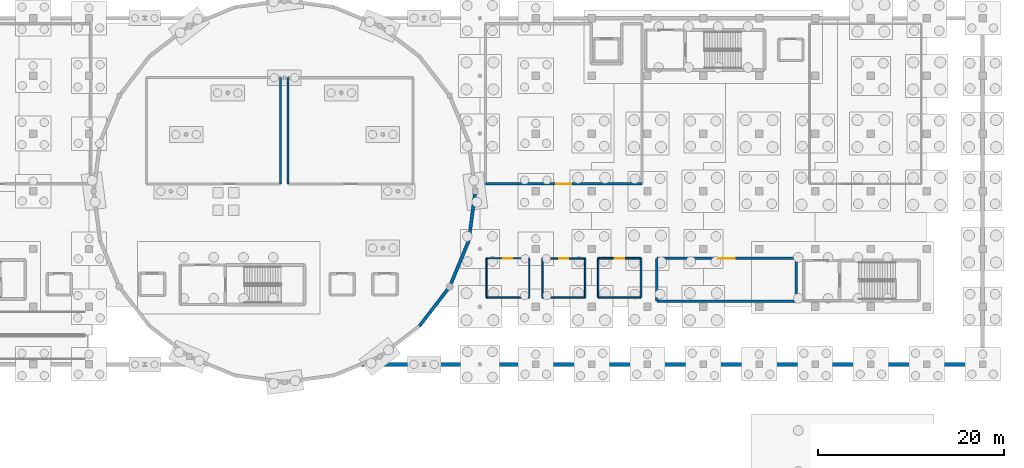
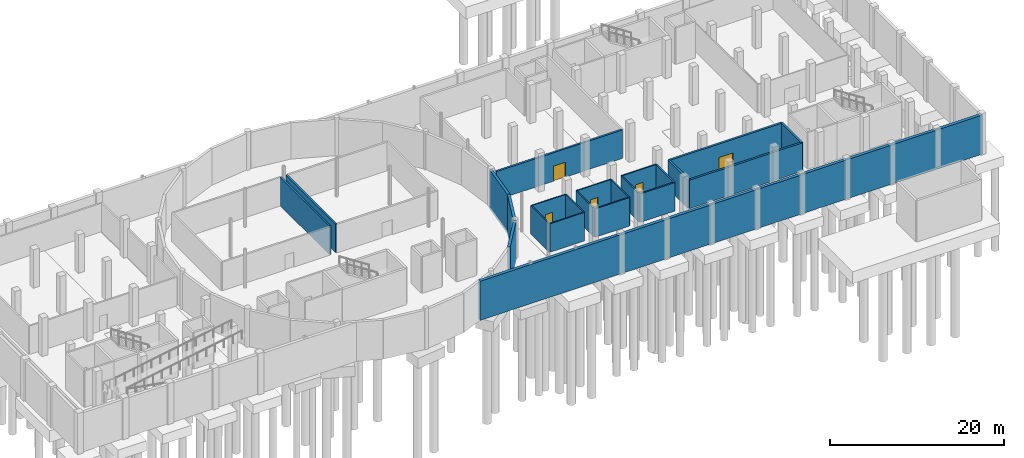
# One storey, part 12 of 19: 23 walls, 5 doors, 5 openings.
"""IFC4 building model written with IfcOpenShell, lengths in metres."""

from ifc_helpers import new_model, si_unit, direction, frame, frame_2d, origin, place, context, subcontext, project, spatial, rectangle, extrude, material, layer, layer_set, type_object, element, fill, save


model = new_model("IFC4")

# Units and contexts
model_context = context("Model", 3, precision=1e-05, world=origin(), true_north=direction((0.0, 1.0)))
body_context = subcontext(model_context, "Body", "Model", "MODEL_VIEW")
ifc_project = project(units=[si_unit("LENGTHUNIT", "METRE"), si_unit("AREAUNIT", "SQUARE_METRE"), si_unit("VOLUMEUNIT", "CUBIC_METRE"), si_unit("PLANEANGLEUNIT", "RADIAN"), si_unit("MASSUNIT", "GRAM", prefix="KILO")], contexts=[model_context])

# Site, building, storey
site_placement = place(None, origin())
site = spatial("IfcSite", under=ifc_project, at=site_placement, CompositionType="ELEMENT")
building_placement = place(site_placement, origin())
building = spatial("IfcBuilding", under=site, at=building_placement, Name="Mirzam Square Science Centre", CompositionType="ELEMENT")
storey_placement = place(building_placement, frame((0.0, 0.0, -5.39990234375)))
storey = spatial("IfcBuildingStorey", under=building, at=storey_placement, Name="B01", CompositionType="ELEMENT", Elevation=-5.39990234375)

# Walls
ifc_material_1 = material(Name="Concrete C45/55", Category="concrete")
ifc_layer_1 = layer(ifc_material_1, 0.35009765625)
ifc_layer_set_1 = layer_set([ifc_layer_1], Name="W-DRUM-350")
wall_type_1 = type_object("IfcWallType", Name="W-DRUM-350", PredefinedType="SHEAR", material=ifc_layer_set_1)
for number, where, z_axis, x_axis, name in (
    (1, (95.49560546875, 47.50439453125, -0.400146484375), (0.0, 0.0, 1.0), (0.60876670321, 0.793349293227, 0.0), "B01 planetarium drum wall 22"),
    (2, (98.75341796875, 51.75, -0.400146484375), (0.0, 0.0, 1.0), (0.382713071139, 0.923867255172, 0.0), "B01 planetarium drum wall 23"),
):
    element("IfcWall", number, at=place(storey_placement, frame(where, z_axis=z_axis, x_axis=x_axis)), inside=storey, type_object=wall_type_1, Name=name, PredefinedType="SHEAR", context=body_context, shape_type="SweptSolid", body=[
        extrude(rectangle(XDim=5.3515625, YDim=0.35009765625, at=frame_2d((2.67578125, 0.0))), origin(), (0.0, 0.0, 1.0), 5.5),
    ])
wall_1_placement = place(storey_placement, frame((100.801513671875, 56.694091796875, -0.400146484375), z_axis=(0.0, 0.0, 1.0), x_axis=(0.130517056518, 0.991446064069, 0.0)))
element("IfcWall", 3, at=wall_1_placement, inside=storey, type_object=wall_type_1, Name="B01 planetarium drum wall 24", PredefinedType="SHEAR", context=body_context, shape_type="SweptSolid", body=[
    extrude(rectangle(XDim=5.351806640625, YDim=0.35009765625, at=frame_2d((2.67578125, 0.0))), origin(), (0.0, 0.0, 1.0), 5.5),
])

# Wall, opening, door
ifc_material_2 = material(Name="Laboratory Acoustic Partition", Category="gypsum")
ifc_layer_2 = layer(ifc_material_2, 0.14990234375)
ifc_layer_set_2 = layer_set([ifc_layer_2], Name="W-PART-150")
wall_type_2 = type_object("IfcWallType", Name="W-PART-150", PredefinedType="PARTITIONING", material=ifc_layer_set_2)
wall_2_placement = place(storey_placement, frame((102.699951171875, 54.800048828125, 0.0), z_axis=(0.0, 0.0, 1.0), x_axis=(1.0, 0.0, 0.0)))
wall_2 = element("IfcWall", 4, at=wall_2_placement, inside=storey, type_object=wall_type_2, Name="B01 Male WC B01 partition 1", PredefinedType="PARTITIONING", context=body_context, shape_type="SweptSolid", body=[
    extrude(rectangle(XDim=4.60009765625, YDim=0.14990234375, at=frame_2d((2.300048828125, 0.0))), origin(), (0.0, 0.0, 1.0), 4.0),
])
opening_1_placement = place(wall_2_placement, frame((1.824951171875, 0.0, 0.0)))
opening_1 = element("IfcOpeningElement", 5, at=opening_1_placement, cuts=wall_2, Name="Opening D-02", PredefinedType="OPENING", context=body_context, shape_type="SweptSolid", body=[
    extrude(rectangle(XDim=0.949951171875, YDim=2.10009765625, at=frame_2d((0.47509765625, 1.050048828125))), frame((0.0, 0.0849609375, 0.0), z_axis=(0.0, -1.0, 0.0), x_axis=(1.0, 0.0, 0.0)), (0.0, 0.0, 1.0), 0.169921875),
])
ifc_material_3 = material(Name="Solid Core Acoustic Oak Timber Door", Category="wood")
door_type_1 = type_object("IfcDoorType", Name="DR-INT-950x2100", OperationType="NOTDEFINED", PredefinedType="DOOR", material=ifc_material_3)
door_1_placement = place(opening_1_placement, origin())
door_1 = element("IfcDoor", 6, at=door_1_placement, inside=storey, type_object=door_type_1, Name="ID-B01-0001", OperationType="SINGLE_SWING_RIGHT", OverallHeight=2.10009765625, OverallWidth=0.949951171875, PredefinedType="DOOR", context=body_context, shape_type="SweptSolid", body=[
    extrude(rectangle(XDim=0.949951171875, YDim=2.10009765625, at=frame_2d((0.47509765625, 1.050048828125))), frame((0.0, 0.02490234375, 0.0), z_axis=(0.0, -1.0, 0.0), x_axis=(1.0, 0.0, 0.0)), (0.0, 0.0, 1.0), 0.050048828125),
])
fill(opening_1, door_1)

# Walls
wall_3_placement = place(storey_placement, frame((107.300048828125, 54.800048828125, 0.0), z_axis=(0.0, 0.0, 1.0), x_axis=(0.0, -1.0, 0.0)))
element("IfcWall", 7, at=wall_3_placement, inside=storey, type_object=wall_type_2, Name="B01 Male WC B01 partition 2", PredefinedType="PARTITIONING", context=body_context, shape_type="SweptSolid", body=[
    extrude(rectangle(XDim=4.199951171875, YDim=0.14990234375, at=frame_2d((2.10009765625, 0.0))), origin(), (0.0, 0.0, 1.0), 4.0),
])
wall_4_placement = place(storey_placement, frame((107.300048828125, 50.60009765625, 0.0), z_axis=(0.0, 0.0, 1.0), x_axis=(-1.0, 0.0, 0.0)))
element("IfcWall", 8, at=wall_4_placement, inside=storey, type_object=wall_type_2, Name="B01 Male WC B01 partition 3", PredefinedType="PARTITIONING", context=body_context, shape_type="SweptSolid", body=[
    extrude(rectangle(XDim=4.60009765625, YDim=0.14990234375, at=frame_2d((2.300048828125, 0.0))), origin(), (0.0, 0.0, 1.0), 4.0),
])
wall_5_placement = place(storey_placement, frame((102.699951171875, 50.60009765625, 0.0), z_axis=(0.0, 0.0, 1.0), x_axis=(0.0, 1.0, 0.0)))
element("IfcWall", 9, at=wall_5_placement, inside=storey, type_object=wall_type_2, Name="B01 Male WC B01 partition 4", PredefinedType="PARTITIONING", context=body_context, shape_type="SweptSolid", body=[
    extrude(rectangle(XDim=4.199951171875, YDim=0.14990234375, at=frame_2d((2.10009765625, 0.0))), origin(), (0.0, 0.0, 1.0), 4.0),
])

# Wall, opening, door
ifc_material_4 = material(Name="Wet-Area Moisture-Resistant Partition", Category="gypsum")
ifc_layer_3 = layer(ifc_material_4, 0.1650390625)
ifc_layer_set_3 = layer_set([ifc_layer_3], Name="W-PART-165")
wall_type_3 = type_object("IfcWallType", Name="W-PART-165", PredefinedType="PARTITIONING", material=ifc_layer_set_3)
wall_6_placement = place(storey_placement, frame((108.699951171875, 54.800048828125, 0.0), z_axis=(0.0, 0.0, 1.0), x_axis=(1.0, 0.0, 0.0)))
wall_6 = element("IfcWall", 10, at=wall_6_placement, inside=storey, type_object=wall_type_3, Name="B01 Female WC B01 partition 5", PredefinedType="PARTITIONING", context=body_context, shape_type="SweptSolid", body=[
    extrude(rectangle(XDim=4.60009765625, YDim=0.1650390625, at=frame_2d((2.300048828125, 0.0))), origin(), (0.0, 0.0, 1.0), 4.0),
])
opening_2_placement = place(wall_6_placement, frame((1.800048828125, 0.0, 0.0)))
opening_2 = element("IfcOpeningElement", 11, at=opening_2_placement, cuts=wall_6, Name="Opening D-03", PredefinedType="OPENING", context=body_context, shape_type="SweptSolid", body=[
    extrude(rectangle(XDim=1.0, YDim=2.10009765625, at=frame_2d((0.5, 1.050048828125))), frame((0.0, 0.092529296875, 0.0), z_axis=(0.0, -1.0, 0.0), x_axis=(1.0, 0.0, 0.0)), (0.0, 0.0, 1.0), 0.18505859375),
])
door_type_2 = type_object("IfcDoorType", Name="DR-INT-1000x2100", OperationType="NOTDEFINED", PredefinedType="DOOR", material=ifc_material_3)
door_2_placement = place(opening_2_placement, origin())
door_2 = element("IfcDoor", 12, at=door_2_placement, inside=storey, type_object=door_type_2, Name="ID-B01-0002", OperationType="SINGLE_SWING_LEFT", OverallHeight=2.10009765625, OverallWidth=1.0, PredefinedType="DOOR", context=body_context, shape_type="SweptSolid", body=[
    extrude(rectangle(XDim=1.0, YDim=2.10009765625, at=frame_2d((0.5, 1.050048828125))), frame((0.0, 0.02490234375, 0.0), z_axis=(0.0, -1.0, 0.0), x_axis=(1.0, 0.0, 0.0)), (0.0, 0.0, 1.0), 0.050048828125),
])
fill(opening_2, door_2)

# Walls
wall_7_placement = place(storey_placement, frame((113.300048828125, 54.800048828125, 0.0), z_axis=(0.0, 0.0, 1.0), x_axis=(0.0, -1.0, 0.0)))
element("IfcWall", 13, at=wall_7_placement, inside=storey, type_object=wall_type_3, Name="B01 Female WC B01 partition 6", PredefinedType="PARTITIONING", context=body_context, shape_type="SweptSolid", body=[
    extrude(rectangle(XDim=4.199951171875, YDim=0.1650390625, at=frame_2d((2.10009765625, 0.0))), origin(), (0.0, 0.0, 1.0), 4.0),
])
wall_8_placement = place(storey_placement, frame((113.300048828125, 50.60009765625, 0.0), z_axis=(0.0, 0.0, 1.0), x_axis=(-1.0, 0.0, 0.0)))
element("IfcWall", 14, at=wall_8_placement, inside=storey, type_object=wall_type_3, Name="B01 Female WC B01 partition 7", PredefinedType="PARTITIONING", context=body_context, shape_type="SweptSolid", body=[
    extrude(rectangle(XDim=4.60009765625, YDim=0.1650390625, at=frame_2d((2.300048828125, 0.0))), origin(), (0.0, 0.0, 1.0), 4.0),
])
wall_9_placement = place(storey_placement, frame((108.699951171875, 50.60009765625, 0.0), z_axis=(0.0, 0.0, 1.0), x_axis=(0.0, 1.0, 0.0)))
element("IfcWall", 15, at=wall_9_placement, inside=storey, type_object=wall_type_3, Name="B01 Female WC B01 partition 8", PredefinedType="PARTITIONING", context=body_context, shape_type="SweptSolid", body=[
    extrude(rectangle(XDim=4.199951171875, YDim=0.1650390625, at=frame_2d((2.10009765625, 0.0))), origin(), (0.0, 0.0, 1.0), 4.0),
])

# Wall, opening, door
ifc_material_5 = material(Name="Workshop Acoustic Masonry Partition", Category="masonry")
ifc_layer_4 = layer(ifc_material_5, 0.179931640625)
ifc_layer_set_4 = layer_set([ifc_layer_4], Name="W-PART-180")
wall_type_4 = type_object("IfcWallType", Name="W-PART-180", PredefinedType="PARTITIONING", material=ifc_layer_set_4)
wall_10_placement = place(storey_placement, frame((114.699951171875, 54.800048828125, 0.0), z_axis=(0.0, 0.0, 1.0), x_axis=(1.0, 0.0, 0.0)))
wall_10 = element("IfcWall", 16, at=wall_10_placement, inside=storey, type_object=wall_type_4, Name="B01 Accessible WC B01 partition 9", PredefinedType="PARTITIONING", context=body_context, shape_type="SweptSolid", body=[
    extrude(rectangle(XDim=4.60009765625, YDim=0.179931640625, at=frame_2d((2.300048828125, 0.0))), origin(), (0.0, 0.0, 1.0), 4.0),
])
opening_3_placement = place(wall_10_placement, frame((1.77490234375, 0.0, 0.0)))
opening_3 = element("IfcOpeningElement", 17, at=opening_3_placement, cuts=wall_10, Name="Opening D-04", PredefinedType="OPENING", context=body_context, shape_type="SweptSolid", body=[
    extrude(rectangle(XDim=1.050048828125, YDim=2.10009765625, at=frame_2d((0.52490234375, 1.050048828125))), frame((0.0, 0.099853515625, 0.0), z_axis=(0.0, -1.0, 0.0), x_axis=(1.0, 0.0, 0.0)), (0.0, 0.0, 1.0), 0.199951171875),
])
door_type_3 = type_object("IfcDoorType", Name="DR-INT-1050x2100", OperationType="NOTDEFINED", PredefinedType="DOOR", material=ifc_material_3)
door_3_placement = place(opening_3_placement, origin())
door_3 = element("IfcDoor", 18, at=door_3_placement, inside=storey, type_object=door_type_3, Name="ID-B01-0003", OperationType="SINGLE_SWING_RIGHT", OverallHeight=2.10009765625, OverallWidth=1.050048828125, PredefinedType="DOOR", context=body_context, shape_type="SweptSolid", body=[
    extrude(rectangle(XDim=1.050048828125, YDim=2.10009765625, at=frame_2d((0.52490234375, 1.050048828125))), frame((0.0, 0.02490234375, 0.0), z_axis=(0.0, -1.0, 0.0), x_axis=(1.0, 0.0, 0.0)), (0.0, 0.0, 1.0), 0.050048828125),
])
fill(opening_3, door_3)

# Walls
wall_11_placement = place(storey_placement, frame((119.300048828125, 54.800048828125, 0.0), z_axis=(0.0, 0.0, 1.0), x_axis=(0.0, -1.0, 0.0)))
element("IfcWall", 19, at=wall_11_placement, inside=storey, type_object=wall_type_4, Name="B01 Accessible WC B01 partition 10", PredefinedType="PARTITIONING", context=body_context, shape_type="SweptSolid", body=[
    extrude(rectangle(XDim=4.199951171875, YDim=0.179931640625, at=frame_2d((2.10009765625, 0.0))), origin(), (0.0, 0.0, 1.0), 4.0),
])
wall_12_placement = place(storey_placement, frame((119.300048828125, 50.60009765625, 0.0), z_axis=(0.0, 0.0, 1.0), x_axis=(-1.0, 0.0, 0.0)))
element("IfcWall", 20, at=wall_12_placement, inside=storey, type_object=wall_type_4, Name="B01 Accessible WC B01 partition 11", PredefinedType="PARTITIONING", context=body_context, shape_type="SweptSolid", body=[
    extrude(rectangle(XDim=4.60009765625, YDim=0.179931640625, at=frame_2d((2.300048828125, 0.0))), origin(), (0.0, 0.0, 1.0), 4.0),
])
wall_13_placement = place(storey_placement, frame((114.699951171875, 50.60009765625, 0.0), z_axis=(0.0, 0.0, 1.0), x_axis=(0.0, 1.0, 0.0)))
element("IfcWall", 21, at=wall_13_placement, inside=storey, type_object=wall_type_4, Name="B01 Accessible WC B01 partition 12", PredefinedType="PARTITIONING", context=body_context, shape_type="SweptSolid", body=[
    extrude(rectangle(XDim=4.199951171875, YDim=0.179931640625, at=frame_2d((2.10009765625, 0.0))), origin(), (0.0, 0.0, 1.0), 4.0),
])
ifc_material_6 = material(Name="Chemical Prep Fire Partition Concrete C30/37", Category="concrete")
ifc_layer_5 = layer(ifc_material_6, 0.215087890625)
ifc_layer_set_5 = layer_set([ifc_layer_5], Name="W-PART-215")
wall_type_5 = type_object("IfcWallType", Name="W-PART-215", PredefinedType="PARTITIONING", material=ifc_layer_set_5)
wall_14_placement = place(storey_placement, frame((80.60009765625, 74.199951171875, 0.0), z_axis=(0.0, 0.0, 1.0), x_axis=(0.0, -1.0, 0.0)))
element("IfcWall", 22, at=wall_14_placement, inside=storey, type_object=wall_type_5, Name="B01 Exhibit Fabrication Workshop partition 18", PredefinedType="PARTITIONING", context=body_context, shape_type="SweptSolid", body=[
    extrude(rectangle(XDim=11.39990234375, YDim=0.215087890625, at=frame_2d((5.699951171875, 0.0))), origin(), (0.0, 0.0, 1.0), 4.0),
])
ifc_material_7 = material(Name="Gallery Display Backing Wall Concrete C30/37", Category="concrete")
ifc_layer_6 = layer(ifc_material_7, 0.22998046875)
ifc_layer_set_6 = layer_set([ifc_layer_6], Name="W-PART-230")
wall_type_6 = type_object("IfcWallType", Name="W-PART-230", PredefinedType="PARTITIONING", material=ifc_layer_set_6)
wall_15_placement = place(storey_placement, frame((81.39990234375, 62.800048828125, 0.0), z_axis=(0.0, 0.0, 1.0), x_axis=(0.0, 1.0, 0.0)))
element("IfcWall", 23, at=wall_15_placement, inside=storey, type_object=wall_type_6, Name="B01 Conservation and Quarantine Laboratory partition 24", PredefinedType="PARTITIONING", context=body_context, shape_type="SweptSolid", body=[
    extrude(rectangle(XDim=11.39990234375, YDim=0.22998046875, at=frame_2d((5.699951171875, 0.0))), origin(), (0.0, 0.0, 1.0), 4.0),
])

# Wall, opening, door
ifc_material_8 = material(Name="Plant Acoustic Barrier Wall Concrete C35/45", Category="concrete")
ifc_layer_7 = layer(ifc_material_8, 0.2451171875)
ifc_layer_set_7 = layer_set([ifc_layer_7], Name="W-PART-245")
wall_type_7 = type_object("IfcWallType", Name="W-PART-245", PredefinedType="PARTITIONING", material=ifc_layer_set_7)
wall_16_placement = place(storey_placement, frame((119.39990234375, 62.800048828125, 0.0), z_axis=(0.0, 0.0, 1.0), x_axis=(-1.0, 0.0, 0.0)))
wall_16 = element("IfcWall", 24, at=wall_16_placement, inside=storey, type_object=wall_type_7, Name="B01 Collection Archive and Crate Store partition 26", PredefinedType="PARTITIONING", context=body_context, shape_type="SweptSolid", body=[
    extrude(rectangle(XDim=16.7998046875, YDim=0.2451171875, at=frame_2d((8.39990234375, 0.0))), origin(), (0.0, 0.0, 1.0), 4.0),
])
opening_4_placement = place(wall_16_placement, frame((7.60009765625, 0.0, 0.0)))
opening_4 = element("IfcOpeningElement", 25, at=opening_4_placement, cuts=wall_16, Name="Opening D-08", PredefinedType="OPENING", context=body_context, shape_type="SweptSolid", body=[
    extrude(rectangle(XDim=1.60009765625, YDim=2.10009765625, at=frame_2d((0.800048828125, 1.050048828125))), frame((0.0, 0.132568359375, 0.0), z_axis=(0.0, -1.0, 0.0), x_axis=(1.0, 0.0, 0.0)), (0.0, 0.0, 1.0), 0.26513671875),
])
door_type_4 = type_object("IfcDoorType", Name="DR-INT-1600x2100", OperationType="DOUBLE_DOOR_SINGLE_SWING", PredefinedType="DOOR", material=ifc_material_3)
door_4_placement = place(opening_4_placement, origin())
door_4 = element("IfcDoor", 26, at=door_4_placement, inside=storey, type_object=door_type_4, Name="ID-B01-0007", OperationType="DOUBLE_DOOR_SINGLE_SWING", OverallHeight=2.10009765625, OverallWidth=1.60009765625, PredefinedType="DOOR", context=body_context, shape_type="SweptSolid", body=[
    extrude(rectangle(XDim=1.60009765625, YDim=2.10009765625, at=frame_2d((0.800048828125, 1.050048828125))), frame((0.0, 0.02490234375, 0.0), z_axis=(0.0, -1.0, 0.0), x_axis=(1.0, 0.0, 0.0)), (0.0, 0.0, 1.0), 0.050048828125),
])
fill(opening_4, door_4)

ifc_material_9 = material(Name="Theatre Acoustic Isolation Wall Concrete C35/45", Category="concrete")
ifc_layer_8 = layer(ifc_material_9, 0.260009765625)
ifc_layer_set_8 = layer_set([ifc_layer_8], Name="W-PART-260")
wall_type_8 = type_object("IfcWallType", Name="W-PART-260", PredefinedType="PARTITIONING", material=ifc_layer_set_8)
wall_17_placement = place(storey_placement, frame((121.0, 54.800048828125, 0.0), z_axis=(0.0, 0.0, 1.0), x_axis=(1.0, 0.0, 0.0)))
wall_17 = element("IfcWall", 27, at=wall_17_placement, inside=storey, type_object=wall_type_8, Name="B01 District Cooling Energy Transfer Plant partition 33", PredefinedType="PARTITIONING", context=body_context, shape_type="SweptSolid", body=[
    extrude(rectangle(XDim=15.0, YDim=0.260009765625, at=frame_2d((7.5, 0.0))), origin(), (0.0, 0.0, 1.0), 4.0),
])
opening_5_placement = place(wall_17_placement, frame((6.60009765625, 0.0, 0.0)))
opening_5 = element("IfcOpeningElement", 28, at=opening_5_placement, cuts=wall_17, Name="Opening D-09", PredefinedType="OPENING", context=body_context, shape_type="SweptSolid", body=[
    extrude(rectangle(XDim=1.800048828125, YDim=2.10009765625, at=frame_2d((0.89990234375, 1.050048828125))), frame((0.0, 0.139892578125, 0.0), z_axis=(0.0, -1.0, 0.0), x_axis=(1.0, 0.0, 0.0)), (0.0, 0.0, 1.0), 0.280029296875),
])
ifc_material_10 = material(Name="Powder-Coated Architectural Steel Acoustic Door", Category="steel")
door_type_5 = type_object("IfcDoorType", Name="DR-INT-1800x2100", OperationType="DOUBLE_DOOR_SINGLE_SWING", PredefinedType="DOOR", material=ifc_material_10)
door_5_placement = place(opening_5_placement, origin())
door_5 = element("IfcDoor", 29, at=door_5_placement, inside=storey, type_object=door_type_5, Name="ID-B01-0008", OperationType="DOUBLE_DOOR_SINGLE_SWING", OverallHeight=2.10009765625, OverallWidth=1.800048828125, PredefinedType="DOOR", context=body_context, shape_type="SweptSolid", body=[
    extrude(rectangle(XDim=1.800048828125, YDim=2.10009765625, at=frame_2d((0.89990234375, 1.050048828125))), frame((0.0, 0.02490234375, 0.0), z_axis=(0.0, -1.0, 0.0), x_axis=(1.0, 0.0, 0.0)), (0.0, 0.0, 1.0), 0.050048828125),
])
fill(opening_5, door_5)

# Walls
wall_18_placement = place(storey_placement, frame((136.0, 54.800048828125, 0.0), z_axis=(0.0, 0.0, 1.0), x_axis=(0.0, -1.0, 0.0)))
element("IfcWall", 30, at=wall_18_placement, inside=storey, type_object=wall_type_8, Name="B01 District Cooling Energy Transfer Plant partition 34", PredefinedType="PARTITIONING", context=body_context, shape_type="SweptSolid", body=[
    extrude(rectangle(XDim=4.60009765625, YDim=0.260009765625, at=frame_2d((2.300048828125, 0.0))), origin(), (0.0, 0.0, 1.0), 4.0),
])
wall_19_placement = place(storey_placement, frame((136.0, 50.199951171875, 0.0), z_axis=(0.0, 0.0, 1.0), x_axis=(-1.0, 0.0, 0.0)))
element("IfcWall", 31, at=wall_19_placement, inside=storey, type_object=wall_type_8, Name="B01 District Cooling Energy Transfer Plant partition 35", PredefinedType="PARTITIONING", context=body_context, shape_type="SweptSolid", body=[
    extrude(rectangle(XDim=15.0, YDim=0.260009765625, at=frame_2d((7.5, 0.0))), origin(), (0.0, 0.0, 1.0), 4.0),
])
wall_20_placement = place(storey_placement, frame((121.0, 50.199951171875, 0.0), z_axis=(0.0, 0.0, 1.0), x_axis=(0.0, 1.0, 0.0)))
element("IfcWall", 32, at=wall_20_placement, inside=storey, type_object=wall_type_8, Name="B01 District Cooling Energy Transfer Plant partition 36", PredefinedType="PARTITIONING", context=body_context, shape_type="SweptSolid", body=[
    extrude(rectangle(XDim=4.60009765625, YDim=0.260009765625, at=frame_2d((2.300048828125, 0.0))), origin(), (0.0, 0.0, 1.0), 4.0),
])
ifc_layer_9 = layer(ifc_material_1, 0.39990234375)
ifc_layer_set_9 = layer_set([ifc_layer_9], Name="W-RET-400")
wall_type_9 = type_object("IfcWallType", Name="W-RET-400", PredefinedType="USERDEFINED", material=ifc_layer_set_9)
wall_21_placement = place(storey_placement, frame((156.0, 43.39990234375, -0.400146484375), z_axis=(0.0, 0.0, 1.0), x_axis=(-1.0, 0.0, 0.0)))
element("IfcWall", 33, at=wall_21_placement, inside=storey, type_object=wall_type_9, Name="B01 tanked retaining wall 06", ObjectType="RETAINING WALL", PredefinedType="USERDEFINED", context=body_context, shape_type="SweptSolid", body=[
    extrude(rectangle(XDim=66.793701171875, YDim=0.39990234375, at=frame_2d((33.39697265625, 0.0))), origin(), (0.0, 0.0, 1.0), 5.5),
])

save(model, "model.ifc")
